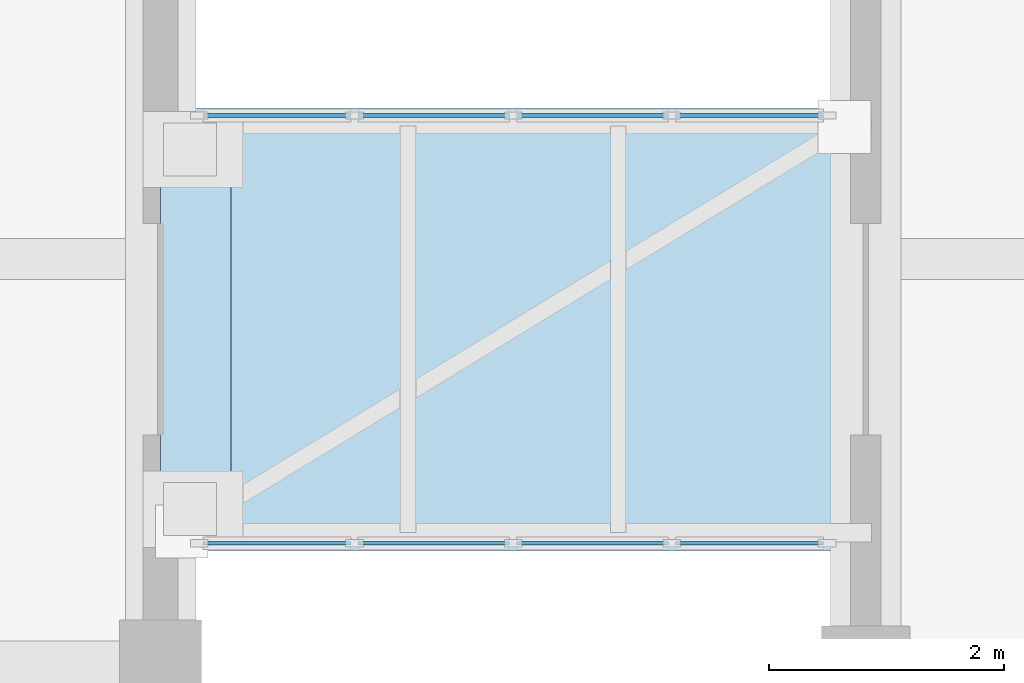
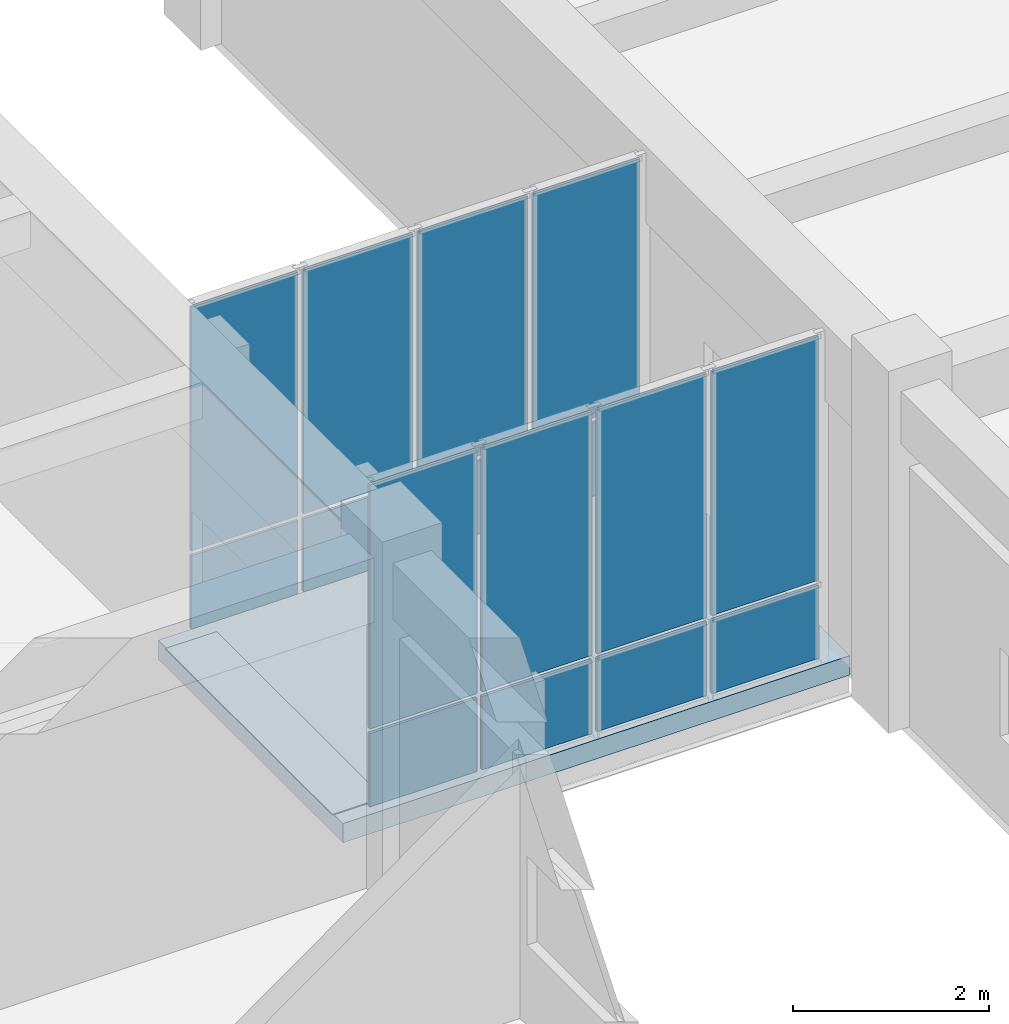
# One storey, part 41 of 70: 17 plates, 1 slab, 2 elements without a shape of their own.
"""IFC4 building model written with IfcOpenShell, lengths in metres."""

from ifc_helpers import new_model, si_unit, direction, frame, origin, origin_2d, place, context, subcontext, project, spatial, polyline, rectangle, outline, extrude, material, layer, layer_set, type_object, element, aggregate, save


model = new_model("IFC4")

# Units and contexts
model_context = context("Model", 3, precision=1e-05, world=origin(), true_north=direction((0.0, 1.0)))
body_context = subcontext(model_context, "Body", "Model", "MODEL_VIEW")
ifc_project = project(units=[si_unit("LENGTHUNIT", "METRE"), si_unit("AREAUNIT", "SQUARE_METRE"), si_unit("VOLUMEUNIT", "CUBIC_METRE"), si_unit("PLANEANGLEUNIT", "RADIAN"), si_unit("MASSUNIT", "GRAM", prefix="KILO")], contexts=[model_context])

# Site, building, storey
site_placement = place(None, origin())
site = spatial("IfcSite", under=ifc_project, at=site_placement, CompositionType="ELEMENT")
building_placement = place(site_placement, origin())
building = spatial("IfcBuilding", under=site, at=building_placement, Name="Naurynzar Civic Courthouse", CompositionType="ELEMENT")
storey_placement = place(building_placement, frame((0.0, 0.0, 5.39990234375)))
storey = spatial("IfcBuildingStorey", under=building, at=storey_placement, Name="L02", CompositionType="ELEMENT", Elevation=5.39990234375)

# Curtain wall, plates
ifc_material_1 = material(Name="Aluminium 6063-T6", Category="aluminium")
ifc_layer_1 = layer(ifc_material_1, 0.14990234375)
ifc_layer_set_1 = layer_set([ifc_layer_1], Name="CW-BRIDGE-1500")
curtain_wall_type = type_object("IfcCurtainWallType", Name="CW-BRIDGE-1500", PredefinedType="USERDEFINED", material=ifc_layer_set_1)
curtain_wall_1_placement = place(storey_placement, origin())
curtain_wall_1 = element("IfcCurtainWall", 1, at=curtain_wall_1_placement, inside=storey, type_object=curtain_wall_type, Name="BR-E1 glazed bridge screen L02.1", ObjectType="GLAZED BRIDGE SCREEN", PredefinedType="USERDEFINED")
ifc_material_2 = material(Name="Tempered Laminated Low-E Glass", Category="glass")
ifc_layer_2 = layer(ifc_material_2, 0.031982421875)
ifc_layer_set_2 = layer_set([ifc_layer_2], Name="CWP-IGU-32")
plate_type_1 = type_object("IfcPlateType", Name="CWP-IGU-32", PredefinedType="CURTAIN_PANEL", material=ifc_layer_set_2)
plate_1_placement = place(storey_placement, frame((124.989990234375, 52.080078125, 0.06005859375), z_axis=(0.0, 0.0, 1.0), x_axis=(1.0, 0.0, 0.0)))
plate_1 = element("IfcPlate", 2, at=plate_1_placement, type_object=plate_type_1, Name="CW-03 panel 1.1", PredefinedType="CURTAIN_PANEL", context=body_context, shape_type="SweptSolid", body=[
    extrude(rectangle(XDim=1.260009765625, YDim=0.031982421875, at=origin_2d()), origin(), (0.0, 0.0, 1.0), 0.909912109375),
])
plate_2_placement = place(storey_placement, frame((124.989990234375, 52.080078125, 1.0302734375), z_axis=(0.0, 0.0, 1.0), x_axis=(1.0, 0.0, 0.0)))
plate_2 = element("IfcPlate", 3, at=plate_2_placement, type_object=plate_type_1, Name="CW-03 panel 1.2", PredefinedType="CURTAIN_PANEL", context=body_context, shape_type="SweptSolid", body=[
    extrude(rectangle(XDim=1.260009765625, YDim=0.031982421875, at=origin_2d()), origin(), (0.0, 0.0, 1.0), 3.030029296875),
])
plate_3_placement = place(storey_placement, frame((126.324951171875, 52.080078125, 0.06005859375), z_axis=(0.0, 0.0, 1.0), x_axis=(1.0, 0.0, 0.0)))
plate_3 = element("IfcPlate", 4, at=plate_3_placement, type_object=plate_type_1, Name="CW-03 panel 2.1", PredefinedType="CURTAIN_PANEL", context=body_context, shape_type="SweptSolid", body=[
    extrude(rectangle(XDim=1.2900390625, YDim=0.031982421875, at=origin_2d()), origin(), (0.0, 0.0, 1.0), 0.909912109375),
])
plate_4_placement = place(storey_placement, frame((126.324951171875, 52.080078125, 1.0302734375), z_axis=(0.0, 0.0, 1.0), x_axis=(1.0, 0.0, 0.0)))
plate_4 = element("IfcPlate", 5, at=plate_4_placement, type_object=plate_type_1, Name="CW-03 panel 2.2", PredefinedType="CURTAIN_PANEL", context=body_context, shape_type="SweptSolid", body=[
    extrude(rectangle(XDim=1.2900390625, YDim=0.031982421875, at=origin_2d()), origin(), (0.0, 0.0, 1.0), 3.030029296875),
])
plate_5_placement = place(storey_placement, frame((127.675048828125, 52.080078125, 0.06005859375), z_axis=(0.0, 0.0, 1.0), x_axis=(1.0, 0.0, 0.0)))
plate_5 = element("IfcPlate", 6, at=plate_5_placement, type_object=plate_type_1, Name="CW-03 panel 3.1", PredefinedType="CURTAIN_PANEL", context=body_context, shape_type="SweptSolid", body=[
    extrude(rectangle(XDim=1.2900390625, YDim=0.031982421875, at=origin_2d()), origin(), (0.0, 0.0, 1.0), 0.909912109375),
])
plate_6_placement = place(storey_placement, frame((127.675048828125, 52.080078125, 1.0302734375), z_axis=(0.0, 0.0, 1.0), x_axis=(1.0, 0.0, 0.0)))
plate_6 = element("IfcPlate", 7, at=plate_6_placement, type_object=plate_type_1, Name="CW-03 panel 3.2", PredefinedType="CURTAIN_PANEL", context=body_context, shape_type="SweptSolid", body=[
    extrude(rectangle(XDim=1.2900390625, YDim=0.031982421875, at=origin_2d()), origin(), (0.0, 0.0, 1.0), 3.030029296875),
])
plate_7_placement = place(storey_placement, frame((129.010009765625, 52.080078125, 0.06005859375), z_axis=(0.0, 0.0, 1.0), x_axis=(1.0, 0.0, 0.0)))
plate_7 = element("IfcPlate", 8, at=plate_7_placement, type_object=plate_type_1, Name="CW-03 panel 4.1", PredefinedType="CURTAIN_PANEL", context=body_context, shape_type="SweptSolid", body=[
    extrude(rectangle(XDim=1.260009765625, YDim=0.031982421875, at=origin_2d()), origin(), (0.0, 0.0, 1.0), 0.909912109375),
])
plate_8_placement = place(storey_placement, frame((129.010009765625, 52.080078125, 1.0302734375), z_axis=(0.0, 0.0, 1.0), x_axis=(1.0, 0.0, 0.0)))
plate_8 = element("IfcPlate", 9, at=plate_8_placement, type_object=plate_type_1, Name="CW-03 panel 4.2", PredefinedType="CURTAIN_PANEL", context=body_context, shape_type="SweptSolid", body=[
    extrude(rectangle(XDim=1.260009765625, YDim=0.031982421875, at=origin_2d()), origin(), (0.0, 0.0, 1.0), 3.030029296875),
])
aggregate(curtain_wall_1, [plate_1, plate_2, plate_3, plate_4, plate_5, plate_6, plate_7, plate_8])

curtain_wall_2_placement = place(storey_placement, origin())
curtain_wall_2 = element("IfcCurtainWall", 10, at=curtain_wall_2_placement, inside=storey, type_object=curtain_wall_type, Name="BR-E1 glazed bridge screen L02.2", ObjectType="GLAZED BRIDGE SCREEN", PredefinedType="USERDEFINED")
plate_9_placement = place(storey_placement, frame((129.010009765625, 55.719970703125, 0.06005859375), z_axis=(0.0, 0.0, 1.0), x_axis=(-1.0, 0.0, 0.0)))
plate_9 = element("IfcPlate", 11, at=plate_9_placement, type_object=plate_type_1, Name="CW-03 panel 1.1", PredefinedType="CURTAIN_PANEL", context=body_context, shape_type="SweptSolid", body=[
    extrude(rectangle(XDim=1.260009765625, YDim=0.031982421875, at=origin_2d()), origin(), (0.0, 0.0, 1.0), 0.909912109375),
])
plate_10_placement = place(storey_placement, frame((129.010009765625, 55.719970703125, 1.0302734375), z_axis=(0.0, 0.0, 1.0), x_axis=(-1.0, 0.0, 0.0)))
plate_10 = element("IfcPlate", 12, at=plate_10_placement, type_object=plate_type_1, Name="CW-03 panel 1.2", PredefinedType="CURTAIN_PANEL", context=body_context, shape_type="SweptSolid", body=[
    extrude(rectangle(XDim=1.260009765625, YDim=0.031982421875, at=origin_2d()), origin(), (0.0, 0.0, 1.0), 3.030029296875),
])
plate_11_placement = place(storey_placement, frame((127.675048828125, 55.719970703125, 0.06005859375), z_axis=(0.0, 0.0, 1.0), x_axis=(-1.0, 0.0, 0.0)))
plate_11 = element("IfcPlate", 13, at=plate_11_placement, type_object=plate_type_1, Name="CW-03 panel 2.1", PredefinedType="CURTAIN_PANEL", context=body_context, shape_type="SweptSolid", body=[
    extrude(rectangle(XDim=1.2900390625, YDim=0.031982421875, at=origin_2d()), origin(), (0.0, 0.0, 1.0), 0.909912109375),
])
plate_12_placement = place(storey_placement, frame((127.675048828125, 55.719970703125, 1.0302734375), z_axis=(0.0, 0.0, 1.0), x_axis=(-1.0, 0.0, 0.0)))
plate_12 = element("IfcPlate", 14, at=plate_12_placement, type_object=plate_type_1, Name="CW-03 panel 2.2", PredefinedType="CURTAIN_PANEL", context=body_context, shape_type="SweptSolid", body=[
    extrude(rectangle(XDim=1.2900390625, YDim=0.031982421875, at=origin_2d()), origin(), (0.0, 0.0, 1.0), 3.030029296875),
])
plate_13_placement = place(storey_placement, frame((126.324951171875, 55.719970703125, 0.06005859375), z_axis=(0.0, 0.0, 1.0), x_axis=(-1.0, 0.0, 0.0)))
plate_13 = element("IfcPlate", 15, at=plate_13_placement, type_object=plate_type_1, Name="CW-03 panel 3.1", PredefinedType="CURTAIN_PANEL", context=body_context, shape_type="SweptSolid", body=[
    extrude(rectangle(XDim=1.2900390625, YDim=0.031982421875, at=origin_2d()), origin(), (0.0, 0.0, 1.0), 0.909912109375),
])
plate_14_placement = place(storey_placement, frame((126.324951171875, 55.719970703125, 1.0302734375), z_axis=(0.0, 0.0, 1.0), x_axis=(-1.0, 0.0, 0.0)))
plate_14 = element("IfcPlate", 16, at=plate_14_placement, type_object=plate_type_1, Name="CW-03 panel 3.2", PredefinedType="CURTAIN_PANEL", context=body_context, shape_type="SweptSolid", body=[
    extrude(rectangle(XDim=1.2900390625, YDim=0.031982421875, at=origin_2d()), origin(), (0.0, 0.0, 1.0), 3.030029296875),
])
plate_15_placement = place(storey_placement, frame((124.989990234375, 55.719970703125, 0.06005859375), z_axis=(0.0, 0.0, 1.0), x_axis=(-1.0, 0.0, 0.0)))
plate_15 = element("IfcPlate", 17, at=plate_15_placement, type_object=plate_type_1, Name="CW-03 panel 4.1", PredefinedType="CURTAIN_PANEL", context=body_context, shape_type="SweptSolid", body=[
    extrude(rectangle(XDim=1.260009765625, YDim=0.031982421875, at=origin_2d()), origin(), (0.0, 0.0, 1.0), 0.909912109375),
])
plate_16_placement = place(storey_placement, frame((124.989990234375, 55.719970703125, 1.0302734375), z_axis=(0.0, 0.0, 1.0), x_axis=(-1.0, 0.0, 0.0)))
plate_16 = element("IfcPlate", 18, at=plate_16_placement, type_object=plate_type_1, Name="CW-03 panel 4.2", PredefinedType="CURTAIN_PANEL", context=body_context, shape_type="SweptSolid", body=[
    extrude(rectangle(XDim=1.260009765625, YDim=0.031982421875, at=origin_2d()), origin(), (0.0, 0.0, 1.0), 3.030029296875),
])
aggregate(curtain_wall_2, [plate_9, plate_10, plate_11, plate_12, plate_13, plate_14, plate_15, plate_16])

# Plate
ifc_material_3 = material(Name="Brushed Stainless Steel 304", Category="steel")
ifc_layer_3 = layer(ifc_material_3, 0.011962890625)
ifc_layer_set_3 = layer_set([ifc_layer_3], Name="PLT-SEISMIC-COVER-12")
plate_type_2 = type_object("IfcPlateType", Name="PLT-SEISMIC-COVER-12", PredefinedType="SHEET", material=ifc_layer_set_3)
plate_17_placement = place(storey_placement, frame((124.300048828125, 53.89990234375, 0.0), z_axis=(0.0, 0.0, 1.0), x_axis=(1.0, 0.0, 0.0)))
element("IfcPlate", 19, at=plate_17_placement, inside=storey, type_object=plate_type_2, Name="BR-E1 seismic floor joint cover plate L02", PredefinedType="SHEET", context=body_context, shape_type="SweptSolid", body=[
    extrude(rectangle(XDim=0.60009765625, YDim=3.39990234375, at=origin_2d()), origin(), (0.0, 0.0, 1.0), 0.011962890625),
])

# Slab
ifc_material_4 = material(Name="Concrete C35/45", Category="concrete")
ifc_layer_4 = layer(ifc_material_4, 0.239990234375)
ifc_layer_set_4 = layer_set([ifc_layer_4], Name="SLB-BRG-240")
slab_type = type_object("IfcSlabType", Name="SLB-BRG-240", PredefinedType="FLOOR", material=ifc_layer_set_4)
slab_placement = place(storey_placement, frame((0.0, 0.0, -0.239990234375)))
element("IfcSlab", 20, at=slab_placement, inside=storey, type_object=slab_type, Name="East Judicial Seismic Link Passage deck slab L02", PredefinedType="FLOOR", context=body_context, shape_type="SweptSolid", body=[
    extrude(outline(polyline([(124.02001953125, 52.02001953125), (129.97998046875, 52.02001953125), (129.97998046875, 55.780029296875), (124.02001953125, 55.780029296875), (124.02001953125, 52.02001953125)])), origin(), (0.0, 0.0, 1.0), 0.239990234375),
])

save(model, "model.ifc")
